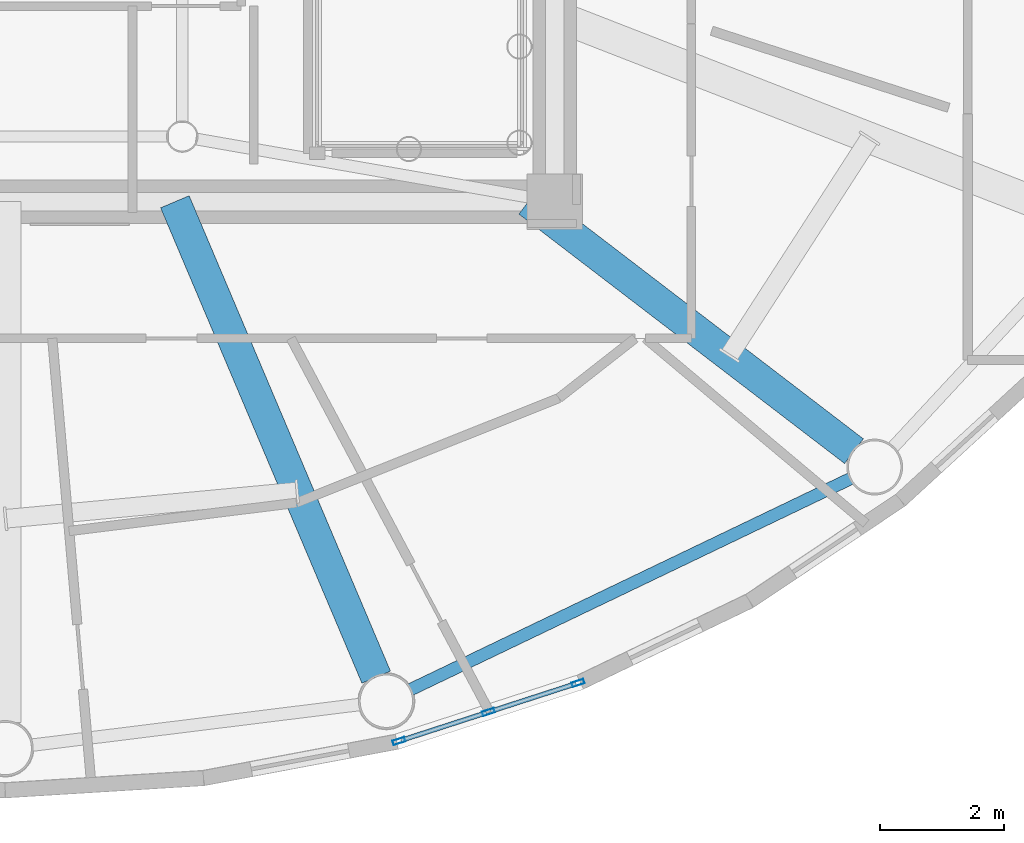
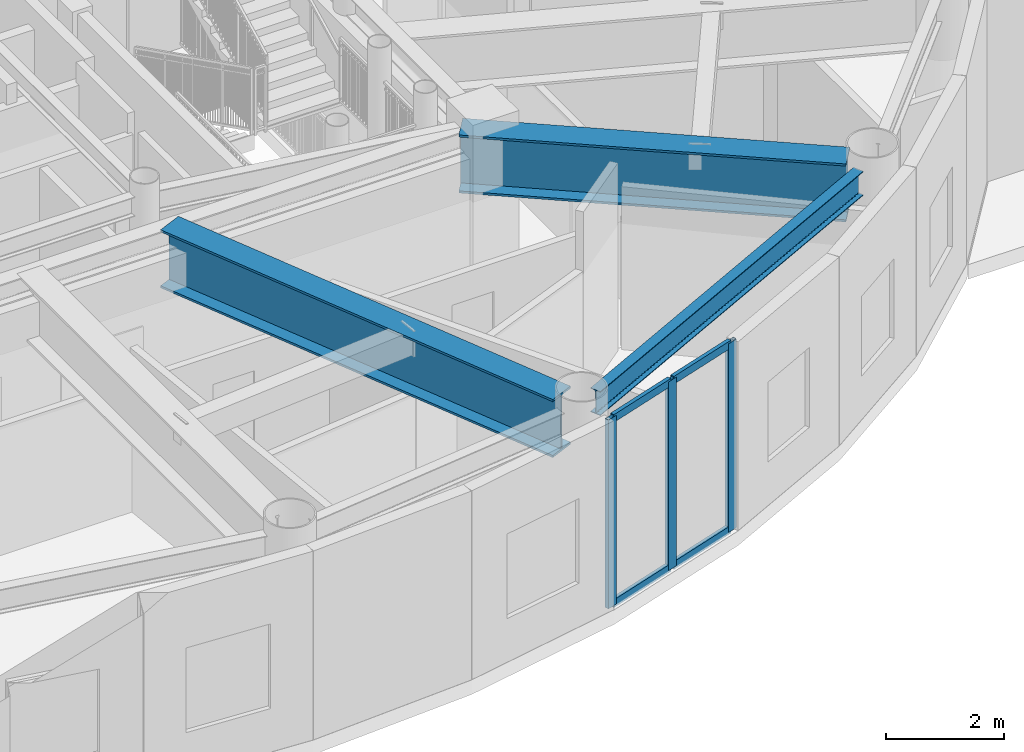
# One storey, part 6 of 26: 7 members, 3 beams, 1 element without a shape of its own.
"""IFC4 building model written with IfcOpenShell, lengths in metres."""

from ifc_helpers import new_model, si_unit, direction, frame, origin, origin_2d, place, context, subcontext, project, spatial, hollow_rectangle, i_section, extrude, source, transform, mapped, material, layer, layer_set, material_profile, profile_set, type_object, element, aggregate, save


model = new_model("IFC4")

# Units and contexts
model_context = context("Model", 3, precision=1e-05, world=origin(), true_north=direction((0.0, 1.0)))
body_context = subcontext(model_context, "Body", "Model", "MODEL_VIEW")
ifc_project = project(units=[si_unit("LENGTHUNIT", "METRE"), si_unit("AREAUNIT", "SQUARE_METRE"), si_unit("VOLUMEUNIT", "CUBIC_METRE"), si_unit("PLANEANGLEUNIT", "RADIAN"), si_unit("MASSUNIT", "GRAM", prefix="KILO")], contexts=[model_context])

# Site, building, storey
site_placement = place(None, origin())
site = spatial("IfcSite", under=ifc_project, at=site_placement, CompositionType="ELEMENT")
building_placement = place(site_placement, origin())
building = spatial("IfcBuilding", under=site, at=building_placement, Name="Linh Dai School and Residence Tower", CompositionType="ELEMENT")
storey_placement = place(building_placement, frame((0.0, 0.0, 346.800048828125)))
storey = spatial("IfcBuildingStorey", under=building, at=storey_placement, Name="L86", CompositionType="ELEMENT", Elevation=346.800048828125)

# Beams
ifc_material_1 = material(Name="Structural Steel S355JR", Category="steel")
ifc_material_profile_1 = material_profile(ifc_material_1, i_section(OverallWidth=0.199951171875, OverallDepth=0.5, WebThickness=0.01025390625, FlangeThickness=0.01611328125, FilletRadius=0.02099609375, at=origin_2d()), Name="IPE 500")
ifc_profile_set_1 = profile_set([ifc_material_profile_1], Name="Structural Steel S355JR")
beam_type_1 = type_object("IfcBeamType", Name="BM-RB50", PredefinedType="BEAM", material=ifc_profile_set_1)
beam_1_placement = place(storey_placement, frame((42.516357421875, 12.687744140625, 3.64990234375), z_axis=(0.901701330417, 0.432359469335, 0.0), x_axis=(-0.432359469335, 0.901701330417, 0.0)))
element("IfcBeam", 1, at=beam_1_placement, inside=storey, type_object=beam_type_1, Name="L86 Perimeter Elliptical Ring Beam 14", PredefinedType="BEAM", context=body_context, shape_type="SweptSolid", body=[
    extrude(i_section(OverallWidth=0.199951171875, OverallDepth=0.5, WebThickness=0.01025390625, FlangeThickness=0.01611328125, FilletRadius=0.02099609375, at=origin_2d()), origin(), (0.0, 0.0, 1.0), 7.88232421875),
])
ifc_material_profile_2 = material_profile(ifc_material_1, i_section(OverallWidth=0.5, OverallDepth=1.199951171875, WebThickness=0.02392578125, FlangeThickness=0.044921875, at=origin_2d()), Name="PG 1200x500x24x45")
ifc_profile_set_2 = profile_set([ifc_material_profile_2], Name="Structural Steel S355JR")
beam_type_2 = type_object("IfcBeamType", Name="BM-TG12", PredefinedType="BEAM", material=ifc_profile_set_2)
beam_2_placement = place(storey_placement, frame((38.731201171875, 20.550048828125, 3.300048828125), z_axis=(0.389954119501, -0.920834287309, 0.0), x_axis=(0.920834287309, 0.389954119501, 0.0)))
element("IfcBeam", 2, at=beam_2_placement, inside=storey, type_object=beam_type_2, Name="L86 Primary Radial Floor Girder 14", PredefinedType="BEAM", context=body_context, shape_type="SweptSolid", body=[
    extrude(i_section(OverallWidth=0.5, OverallDepth=1.199951171875, WebThickness=0.02392578125, FlangeThickness=0.044921875, at=origin_2d()), origin(), (0.0, 0.0, 1.0), 8.3154296875),
])
beam_3_placement = place(storey_placement, frame((44.4228515625, 20.550048828125, 3.300048828125), z_axis=(0.793929753809, -0.608009495006, 0.0), x_axis=(0.608009495006, 0.793929753809, 0.0)))
element("IfcBeam", 3, at=beam_3_placement, inside=storey, type_object=beam_type_2, Name="L86 Primary Radial Floor Girder 15", PredefinedType="BEAM", context=body_context, shape_type="SweptSolid", body=[
    extrude(i_section(OverallWidth=0.5, OverallDepth=1.199951171875, WebThickness=0.02392578125, FlangeThickness=0.044921875, at=origin_2d()), origin(), (0.0, 0.0, 1.0), 6.607666015625),
])

# Curtain wall, members
ifc_material_2 = material(Name="Aluminium Anodised Curtain Wall", Category="aluminium")
ifc_layer = layer(ifc_material_2, 0.199951171875)
ifc_layer_set = layer_set([ifc_layer], Name="Aluminium Anodised Curtain Wall")
curtain_wall_type = type_object("IfcCurtainWallType", Name="CW-SYS-6", PredefinedType="USERDEFINED", material=ifc_layer_set)
curtain_wall_placement = place(storey_placement, origin())
curtain_wall = element("IfcCurtainWall", 4, at=curtain_wall_placement, inside=storey, type_object=curtain_wall_type, Name="L86 CW6 Curtain Wall 33", ObjectType="UNITISED CURTAIN WALL", PredefinedType="USERDEFINED")
ifc_material_3 = material(Name="Aluminium Alloy 6063-T6", Category="aluminium")
ifc_material_profile_3 = material_profile(ifc_material_3, hollow_rectangle(XDim=0.074951171875, YDim=0.199951171875, WallThickness=0.00390625, at=origin_2d()), Name="RHS 200x75x4")
ifc_profile_set_3 = profile_set([ifc_material_profile_3], Name="Aluminium Alloy 6063-T6")
member_type_1 = type_object("IfcMemberType", Name="CW-SYS-6-MUL", PredefinedType="MULLION", material=ifc_profile_set_3)
shared_shape_1 = source(origin(), body_context, "Body", "SweptSolid", [
    extrude(hollow_rectangle(XDim=0.074951171875, YDim=0.199951171875, WallThickness=0.00390625, at=origin_2d()), origin(), (0.0, 0.0, 1.0), 3.89990234375),
])
member_1_placement = place(storey_placement, frame((45.224853515625, 12.79931640625, 0.0), z_axis=(0.0, 0.0, 1.0), x_axis=(0.30856528097, -0.951203168298, 0.0)))
member_1 = element("IfcMember", 5, at=member_1_placement, type_object=member_type_1, Name="CW6 mullion 1", PredefinedType="MULLION", context=body_context, shape_type="MappedRepresentation", body=[
    mapped(shared_shape_1, transform((0.0, 0.0, 0.0), x_axis=(1.0, 0.0, 0.0), y_axis=(0.0, 1.0, 0.0), z_axis=(0.0, 0.0, 1.0), scale=1.0)),
])
member_2_placement = place(storey_placement, frame((43.7822265625, 12.33154296875, 0.0), z_axis=(0.0, 0.0, 1.0), x_axis=(0.30856528097, -0.951203168298, 0.0)))
member_2 = element("IfcMember", 6, at=member_2_placement, type_object=member_type_1, Name="CW6 mullion 2", PredefinedType="MULLION", context=body_context, shape_type="MappedRepresentation", body=[
    mapped(shared_shape_1, transform((0.0, 0.0, 0.0), x_axis=(1.0, 0.0, 0.0), y_axis=(0.0, 1.0, 0.0), z_axis=(0.0, 0.0, 1.0), scale=1.0)),
])
member_3_placement = place(storey_placement, frame((42.339599609375, 11.863525390625, 0.0), z_axis=(0.0, 0.0, 1.0), x_axis=(0.30856528097, -0.951203168298, 0.0)))
member_3 = element("IfcMember", 7, at=member_3_placement, type_object=member_type_1, Name="CW6 mullion 3", PredefinedType="MULLION", context=body_context, shape_type="MappedRepresentation", body=[
    mapped(shared_shape_1, transform((0.0, 0.0, 0.0), x_axis=(1.0, 0.0, 0.0), y_axis=(0.0, 1.0, 0.0), z_axis=(0.0, 0.0, 1.0), scale=1.0)),
])
ifc_material_profile_4 = material_profile(ifc_material_3, hollow_rectangle(XDim=0.074951171875, YDim=0.159912109375, WallThickness=0.00390625, at=origin_2d()), Name="RHS 160x75x4")
ifc_profile_set_4 = profile_set([ifc_material_profile_4], Name="Aluminium Alloy 6063-T6")
member_type_2 = type_object("IfcMemberType", Name="CW-SYS-6-TRN", PredefinedType="USERDEFINED", material=ifc_profile_set_4)
shared_shape_2 = source(origin(), body_context, "Body", "SweptSolid", [
    extrude(hollow_rectangle(XDim=0.074951171875, YDim=0.159912109375, WallThickness=0.00390625, at=origin_2d()), origin(), (0.0, 0.0, 1.0), 1.441650390625),
])
member_4_placement = place(storey_placement, frame((45.189208984375, 12.787841796875, 0.037353515625), z_axis=(-0.951209386872, -0.308546110536, 0.0), x_axis=(0.308546110536, -0.951209386872, 0.0)))
member_4 = element("IfcMember", 8, at=member_4_placement, type_object=member_type_2, Name="CW6 transom 1.1", ObjectType="TRANSOM", PredefinedType="USERDEFINED", context=body_context, shape_type="MappedRepresentation", body=[
    mapped(shared_shape_2, transform((0.0, 0.0, 0.0), x_axis=(1.0, 0.0, 0.0), y_axis=(0.0, 1.0, 0.0), z_axis=(0.0, 0.0, 1.0), scale=1.0)),
])
member_5_placement = place(storey_placement, frame((45.189208984375, 12.787841796875, 3.862548828125), z_axis=(-0.951209386872, -0.308546110536, 0.0), x_axis=(0.308546110536, -0.951209386872, 0.0)))
member_5 = element("IfcMember", 9, at=member_5_placement, type_object=member_type_2, Name="CW6 transom 1.2", ObjectType="TRANSOM", PredefinedType="USERDEFINED", context=body_context, shape_type="MappedRepresentation", body=[
    mapped(shared_shape_2, transform((0.0, 0.0, 0.0), x_axis=(1.0, 0.0, 0.0), y_axis=(0.0, 1.0, 0.0), z_axis=(0.0, 0.0, 1.0), scale=1.0)),
])
member_6_placement = place(storey_placement, frame((43.74658203125, 12.31982421875, 0.037353515625), z_axis=(-0.951209386872, -0.308546110536, 0.0), x_axis=(0.308546110536, -0.951209386872, 0.0)))
member_6 = element("IfcMember", 10, at=member_6_placement, type_object=member_type_2, Name="CW6 transom 2.1", ObjectType="TRANSOM", PredefinedType="USERDEFINED", context=body_context, shape_type="MappedRepresentation", body=[
    mapped(shared_shape_2, transform((0.0, 0.0, 0.0), x_axis=(1.0, 0.0, 0.0), y_axis=(0.0, 1.0, 0.0), z_axis=(0.0, 0.0, 1.0), scale=1.0)),
])
member_7_placement = place(storey_placement, frame((43.74658203125, 12.31982421875, 3.862548828125), z_axis=(-0.951209386872, -0.308546110536, 0.0), x_axis=(0.308546110536, -0.951209386872, 0.0)))
member_7 = element("IfcMember", 11, at=member_7_placement, type_object=member_type_2, Name="CW6 transom 2.2", ObjectType="TRANSOM", PredefinedType="USERDEFINED", context=body_context, shape_type="MappedRepresentation", body=[
    mapped(shared_shape_2, transform((0.0, 0.0, 0.0), x_axis=(1.0, 0.0, 0.0), y_axis=(0.0, 1.0, 0.0), z_axis=(0.0, 0.0, 1.0), scale=1.0)),
])
aggregate(curtain_wall, [member_1, member_2, member_3, member_4, member_5, member_6, member_7])

save(model, "model.ifc")
